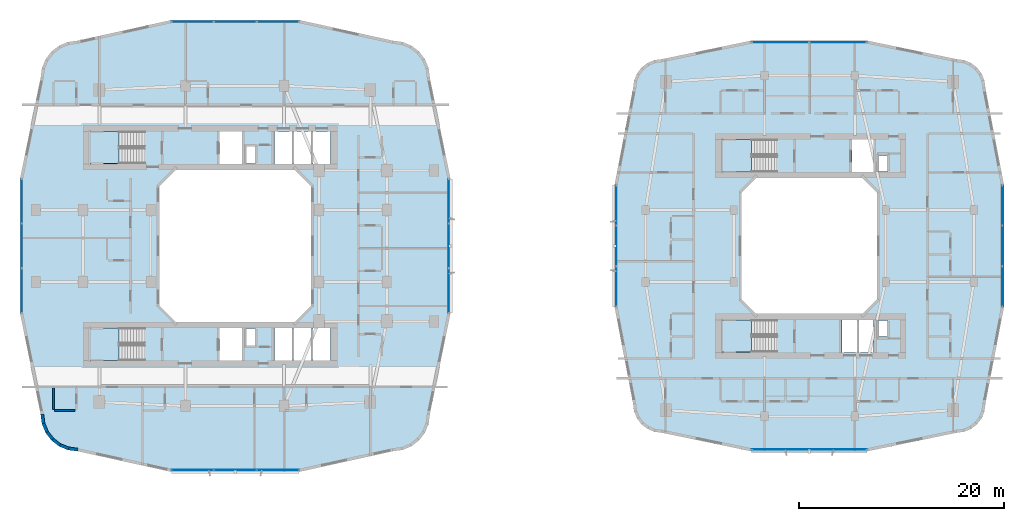
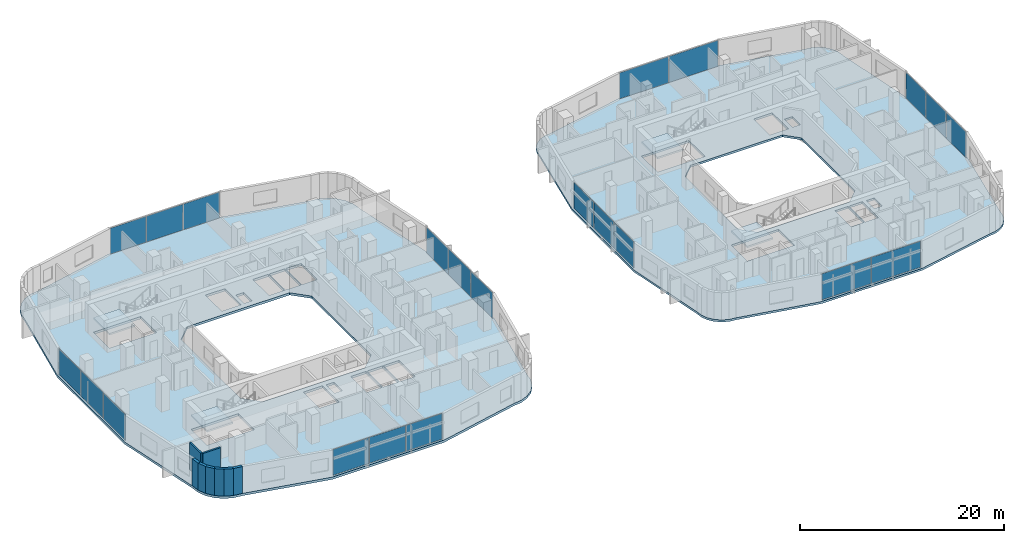
# One storey, part 12 of 27: 22 plates, 8 walls, 6 slabs, 12 elements without a shape of their own.
"""IFC4 building model written with IfcOpenShell, lengths in metres."""

from ifc_helpers import new_model, si_unit, derived_unit, direction, frame, frame_2d, origin, origin_2d, place, context, subcontext, project, spatial, polyline, rectangle, outline, extrude, material, layer, layer_set, type_object, element, aggregate, save


model = new_model("IFC4")

# Units and contexts
model_context = context("Model", 3, precision=1e-05, world=origin(), true_north=direction((0.0, 1.0)))
body_context = subcontext(model_context, "Body", "Model", "MODEL_VIEW")
ifc_project = project(units=[si_unit("LENGTHUNIT", "METRE"), si_unit("AREAUNIT", "SQUARE_METRE"), si_unit("VOLUMEUNIT", "CUBIC_METRE"), si_unit("PLANEANGLEUNIT", "RADIAN"), si_unit("MASSUNIT", "GRAM", prefix="KILO"), derived_unit("THERMALTRANSMITTANCEUNIT", [(si_unit("POWERUNIT", "WATT"), 1), (si_unit("LENGTHUNIT", "METRE"), -2), (si_unit("THERMODYNAMICTEMPERATUREUNIT", "KELVIN"), -1)])], contexts=[model_context])

# Site, building, storey
site_placement = place(None, origin())
site = spatial("IfcSite", under=ifc_project, at=site_placement, CompositionType="ELEMENT")
building_placement = place(site_placement, origin())
building = spatial("IfcBuilding", under=site, at=building_placement, Name="Kivonza Crest Hotel", CompositionType="ELEMENT")
storey_placement = place(building_placement, frame((0.0, 0.0, 41.5)))
storey = spatial("IfcBuildingStorey", under=building, at=storey_placement, Name="L10", CompositionType="ELEMENT", Elevation=41.5)

# Curtain wall, plates
ifc_material_1 = material(Name="Anodised bronze aluminium and low-E double glazing", Category="aluminium")
ifc_layer_1 = layer(ifc_material_1, 0.179931640625)
ifc_layer_set_1 = layer_set([ifc_layer_1], Name="Anodised bronze aluminium and low-E double glazing")
curtain_wall_type_1 = type_object("IfcCurtainWallType", Name="CW-SYS-2", PredefinedType="NOTDEFINED", material=ifc_layer_set_1)
curtain_wall_1_placement = place(storey_placement, origin())
curtain_wall_1 = element("IfcCurtainWall", 1, at=curtain_wall_1_placement, inside=storey, type_object=curtain_wall_type_1, Name="L10 unitised curtain wall CW-T1-L10-08", PredefinedType="NOTDEFINED")
ifc_material_2 = material(Name="Solar-control low-E double glazing", Category="glass")
ifc_layer_2 = layer(ifc_material_2, 0.028076171875)
ifc_layer_set_2 = layer_set([ifc_layer_2], Name="Solar-control low-E double glazing")
plate_type = type_object("IfcPlateType", Name="CW-PNL-28", PredefinedType="CURTAIN_PANEL", material=ifc_layer_set_2)
plate_1_placement = place(storey_placement, frame((16.890869140625, 3.159912109375, 0.06494140625), z_axis=(0.0, 0.0, 1.0), x_axis=(1.0, 0.0, 0.0)))
plate_1 = element("IfcPlate", 2, at=plate_1_placement, type_object=plate_type, Name="CW-2 panel 1.1", PredefinedType="CURTAIN_PANEL", context=body_context, shape_type="SweptSolid", body=[
    extrude(rectangle(XDim=4.06787109375, YDim=0.028076171875, at=origin_2d()), origin(), (0.0, 0.0, 1.0), 3.090087890625),
])
plate_2_placement = place(storey_placement, frame((21.0400390625, 3.159912109375, 0.06494140625), z_axis=(0.0, 0.0, 1.0), x_axis=(1.0, 0.0, 0.0)))
plate_2 = element("IfcPlate", 3, at=plate_2_placement, type_object=plate_type, Name="CW-2 panel 2.1", PredefinedType="CURTAIN_PANEL", context=body_context, shape_type="SweptSolid", body=[
    extrude(rectangle(XDim=4.100341796875, YDim=0.028076171875, at=origin_2d()), origin(), (0.0, 0.0, 1.0), 3.090087890625),
])
plate_3_placement = place(storey_placement, frame((25.18896484375, 3.159912109375, 0.06494140625), z_axis=(0.0, 0.0, 1.0), x_axis=(1.0, 0.0, 0.0)))
plate_3 = element("IfcPlate", 4, at=plate_3_placement, type_object=plate_type, Name="CW-2 panel 3.1", PredefinedType="CURTAIN_PANEL", context=body_context, shape_type="SweptSolid", body=[
    extrude(rectangle(XDim=4.06787109375, YDim=0.028076171875, at=origin_2d()), origin(), (0.0, 0.0, 1.0), 3.090087890625),
])
aggregate(curtain_wall_1, [plate_1, plate_2, plate_3])

curtain_wall_2_placement = place(storey_placement, origin())
curtain_wall_2 = element("IfcCurtainWall", 5, at=curtain_wall_2_placement, inside=storey, type_object=curtain_wall_type_1, Name="L10 unitised curtain wall CW-T1-L10-17", PredefinedType="NOTDEFINED")
plate_4_placement = place(storey_placement, frame((41.840087890625, 20.642822265625, 0.06494140625), z_axis=(0.0, 0.0, 1.0), x_axis=(0.0, 1.0, 0.0)))
plate_4 = element("IfcPlate", 6, at=plate_4_placement, type_object=plate_type, Name="CW-2 panel 1.1", PredefinedType="CURTAIN_PANEL", context=body_context, shape_type="SweptSolid", body=[
    extrude(rectangle(XDim=4.27587890625, YDim=0.028076171875, at=origin_2d()), origin(), (0.0, 0.0, 1.0), 3.090087890625),
])
plate_5_placement = place(storey_placement, frame((41.840087890625, 25.0, 0.06494140625), z_axis=(0.0, 0.0, 1.0), x_axis=(0.0, 1.0, 0.0)))
plate_5 = element("IfcPlate", 7, at=plate_5_placement, type_object=plate_type, Name="CW-2 panel 2.1", PredefinedType="CURTAIN_PANEL", context=body_context, shape_type="SweptSolid", body=[
    extrude(rectangle(XDim=4.308349609375, YDim=0.028076171875, at=origin_2d()), origin(), (0.0, 0.0, 1.0), 3.090087890625),
])
plate_6_placement = place(storey_placement, frame((41.840087890625, 29.357177734375, 0.06494140625), z_axis=(0.0, 0.0, 1.0), x_axis=(0.0, 1.0, 0.0)))
plate_6 = element("IfcPlate", 8, at=plate_6_placement, type_object=plate_type, Name="CW-2 panel 3.1", PredefinedType="CURTAIN_PANEL", context=body_context, shape_type="SweptSolid", body=[
    extrude(rectangle(XDim=4.27587890625, YDim=0.028076171875, at=origin_2d()), origin(), (0.0, 0.0, 1.0), 3.090087890625),
])
aggregate(curtain_wall_2, [plate_4, plate_5, plate_6])

curtain_wall_3_placement = place(storey_placement, origin())
curtain_wall_3 = element("IfcCurtainWall", 9, at=curtain_wall_3_placement, inside=storey, type_object=curtain_wall_type_1, Name="L10 unitised curtain wall CW-T1-L10-26", PredefinedType="NOTDEFINED")
plate_7_placement = place(storey_placement, frame((25.18896484375, 46.840087890625, 0.06494140625), z_axis=(0.0, 0.0, 1.0), x_axis=(-1.0, 0.0, 0.0)))
plate_7 = element("IfcPlate", 10, at=plate_7_placement, type_object=plate_type, Name="CW-2 panel 1.1", PredefinedType="CURTAIN_PANEL", context=body_context, shape_type="SweptSolid", body=[
    extrude(rectangle(XDim=4.06787109375, YDim=0.028076171875, at=origin_2d()), origin(), (0.0, 0.0, 1.0), 3.090087890625),
])
plate_8_placement = place(storey_placement, frame((21.0400390625, 46.840087890625, 0.06494140625), z_axis=(0.0, 0.0, 1.0), x_axis=(-1.0, 0.0, 0.0)))
plate_8 = element("IfcPlate", 11, at=plate_8_placement, type_object=plate_type, Name="CW-2 panel 2.1", PredefinedType="CURTAIN_PANEL", context=body_context, shape_type="SweptSolid", body=[
    extrude(rectangle(XDim=4.100341796875, YDim=0.028076171875, at=origin_2d()), origin(), (0.0, 0.0, 1.0), 3.090087890625),
])
plate_9_placement = place(storey_placement, frame((16.890869140625, 46.840087890625, 0.06494140625), z_axis=(0.0, 0.0, 1.0), x_axis=(-1.0, 0.0, 0.0)))
plate_9 = element("IfcPlate", 12, at=plate_9_placement, type_object=plate_type, Name="CW-2 panel 3.1", PredefinedType="CURTAIN_PANEL", context=body_context, shape_type="SweptSolid", body=[
    extrude(rectangle(XDim=4.06787109375, YDim=0.028076171875, at=origin_2d()), origin(), (0.0, 0.0, 1.0), 3.090087890625),
])
aggregate(curtain_wall_3, [plate_7, plate_8, plate_9])

curtain_wall_4_placement = place(storey_placement, origin())
curtain_wall_4 = element("IfcCurtainWall", 13, at=curtain_wall_4_placement, inside=storey, type_object=curtain_wall_type_1, Name="L10 unitised curtain wall CW-T1-L10-35", PredefinedType="NOTDEFINED")
plate_10_placement = place(storey_placement, frame((0.239990234375, 29.357177734375, 0.06494140625), z_axis=(0.0, 0.0, 1.0), x_axis=(0.0, -1.0, 0.0)))
plate_10 = element("IfcPlate", 14, at=plate_10_placement, type_object=plate_type, Name="CW-2 panel 1.1", PredefinedType="CURTAIN_PANEL", context=body_context, shape_type="SweptSolid", body=[
    extrude(rectangle(XDim=4.27587890625, YDim=0.028076171875, at=origin_2d()), origin(), (0.0, 0.0, 1.0), 3.090087890625),
])
plate_11_placement = place(storey_placement, frame((0.239990234375, 25.0, 0.06494140625), z_axis=(0.0, 0.0, 1.0), x_axis=(0.0, -1.0, 0.0)))
plate_11 = element("IfcPlate", 15, at=plate_11_placement, type_object=plate_type, Name="CW-2 panel 2.1", PredefinedType="CURTAIN_PANEL", context=body_context, shape_type="SweptSolid", body=[
    extrude(rectangle(XDim=4.308349609375, YDim=0.028076171875, at=origin_2d()), origin(), (0.0, 0.0, 1.0), 3.090087890625),
])
plate_12_placement = place(storey_placement, frame((0.239990234375, 20.642822265625, 0.06494140625), z_axis=(0.0, 0.0, 1.0), x_axis=(0.0, -1.0, 0.0)))
plate_12 = element("IfcPlate", 16, at=plate_12_placement, type_object=plate_type, Name="CW-2 panel 3.1", PredefinedType="CURTAIN_PANEL", context=body_context, shape_type="SweptSolid", body=[
    extrude(rectangle(XDim=4.27587890625, YDim=0.028076171875, at=origin_2d()), origin(), (0.0, 0.0, 1.0), 3.090087890625),
])
aggregate(curtain_wall_4, [plate_10, plate_11, plate_12])

ifc_layer_3 = layer(ifc_material_1, 0.179931640625)
ifc_layer_set_3 = layer_set([ifc_layer_3], Name="Anodised bronze aluminium and low-E double glazing")
curtain_wall_type_2 = type_object("IfcCurtainWallType", Name="CW-SYS-4", PredefinedType="NOTDEFINED", material=ifc_layer_set_3)
curtain_wall_5_placement = place(storey_placement, origin())
curtain_wall_5 = element("IfcCurtainWall", 17, at=curtain_wall_5_placement, inside=storey, type_object=curtain_wall_type_2, Name="L10 unitised curtain wall CW-T2-L10-08", PredefinedType="NOTDEFINED")
plate_13_placement = place(storey_placement, frame((74.15234375, 5.159912109375, 0.06494140625), z_axis=(0.0, 0.0, 1.0), x_axis=(1.0, 0.0, 0.0)))
plate_13 = element("IfcPlate", 18, at=plate_13_placement, type_object=plate_type, Name="CW-4 panel 1.1", PredefinedType="CURTAIN_PANEL", context=body_context, shape_type="SweptSolid", body=[
    extrude(rectangle(XDim=5.550537109375, YDim=0.028076171875, at=origin_2d()), origin(), (0.0, 0.0, 1.0), 3.1201171875),
])
plate_14_placement = place(storey_placement, frame((79.767822265625, 5.159912109375, 0.06494140625), z_axis=(0.0, 0.0, 1.0), x_axis=(1.0, 0.0, 0.0)))
plate_14 = element("IfcPlate", 19, at=plate_14_placement, type_object=plate_type, Name="CW-4 panel 2.1", PredefinedType="CURTAIN_PANEL", context=body_context, shape_type="SweptSolid", body=[
    extrude(rectangle(XDim=5.550537109375, YDim=0.028076171875, at=origin_2d()), origin(), (0.0, 0.0, 1.0), 3.1201171875),
])
aggregate(curtain_wall_5, [plate_13, plate_14])

curtain_wall_6_placement = place(storey_placement, origin())
curtain_wall_6 = element("IfcCurtainWall", 20, at=curtain_wall_6_placement, inside=storey, type_object=curtain_wall_type_2, Name="L10 unitised curtain wall CW-T2-L10-17", PredefinedType="NOTDEFINED")
plate_15_placement = place(storey_placement, frame((95.760009765625, 21.04296875, 0.06494140625), z_axis=(0.0, 0.0, 1.0), x_axis=(0.0, 1.0, 0.0)))
plate_15 = element("IfcPlate", 21, at=plate_15_placement, type_object=plate_type, Name="CW-4 panel 1.1", PredefinedType="CURTAIN_PANEL", context=body_context, shape_type="SweptSolid", body=[
    extrude(rectangle(XDim=3.875732421875, YDim=0.028076171875, at=origin_2d()), origin(), (0.0, 0.0, 1.0), 3.1201171875),
])
plate_16_placement = place(storey_placement, frame((95.760009765625, 25.0, 0.06494140625), z_axis=(0.0, 0.0, 1.0), x_axis=(0.0, 1.0, 0.0)))
plate_16 = element("IfcPlate", 22, at=plate_16_placement, type_object=plate_type, Name="CW-4 panel 2.1", PredefinedType="CURTAIN_PANEL", context=body_context, shape_type="SweptSolid", body=[
    extrude(rectangle(XDim=3.908447265625, YDim=0.028076171875, at=origin_2d()), origin(), (0.0, 0.0, 1.0), 3.1201171875),
])
plate_17_placement = place(storey_placement, frame((95.760009765625, 28.95703125, 0.06494140625), z_axis=(0.0, 0.0, 1.0), x_axis=(0.0, 1.0, 0.0)))
plate_17 = element("IfcPlate", 23, at=plate_17_placement, type_object=plate_type, Name="CW-4 panel 3.1", PredefinedType="CURTAIN_PANEL", context=body_context, shape_type="SweptSolid", body=[
    extrude(rectangle(XDim=3.875732421875, YDim=0.028076171875, at=origin_2d()), origin(), (0.0, 0.0, 1.0), 3.1201171875),
])
aggregate(curtain_wall_6, [plate_15, plate_16, plate_17])

curtain_wall_7_placement = place(storey_placement, origin())
curtain_wall_7 = element("IfcCurtainWall", 24, at=curtain_wall_7_placement, inside=storey, type_object=curtain_wall_type_2, Name="L10 unitised curtain wall CW-T2-L10-26", PredefinedType="NOTDEFINED")
plate_18_placement = place(storey_placement, frame((79.767822265625, 44.840087890625, 0.06494140625), z_axis=(0.0, 0.0, 1.0), x_axis=(-1.0, 0.0, 0.0)))
plate_18 = element("IfcPlate", 25, at=plate_18_placement, type_object=plate_type, Name="CW-4 panel 1.1", PredefinedType="CURTAIN_PANEL", context=body_context, shape_type="SweptSolid", body=[
    extrude(rectangle(XDim=5.550537109375, YDim=0.028076171875, at=origin_2d()), origin(), (0.0, 0.0, 1.0), 3.1201171875),
])
plate_19_placement = place(storey_placement, frame((74.15234375, 44.840087890625, 0.06494140625), z_axis=(0.0, 0.0, 1.0), x_axis=(-1.0, 0.0, 0.0)))
plate_19 = element("IfcPlate", 26, at=plate_19_placement, type_object=plate_type, Name="CW-4 panel 2.1", PredefinedType="CURTAIN_PANEL", context=body_context, shape_type="SweptSolid", body=[
    extrude(rectangle(XDim=5.550537109375, YDim=0.028076171875, at=origin_2d()), origin(), (0.0, 0.0, 1.0), 3.1201171875),
])
aggregate(curtain_wall_7, [plate_18, plate_19])

curtain_wall_8_placement = place(storey_placement, origin())
curtain_wall_8 = element("IfcCurtainWall", 27, at=curtain_wall_8_placement, inside=storey, type_object=curtain_wall_type_2, Name="L10 unitised curtain wall CW-T2-L10-35", PredefinedType="NOTDEFINED")
plate_20_placement = place(storey_placement, frame((58.159912109375, 28.95703125, 0.06494140625), z_axis=(0.0, 0.0, 1.0), x_axis=(0.0, -1.0, 0.0)))
plate_20 = element("IfcPlate", 28, at=plate_20_placement, type_object=plate_type, Name="CW-4 panel 1.1", PredefinedType="CURTAIN_PANEL", context=body_context, shape_type="SweptSolid", body=[
    extrude(rectangle(XDim=3.875732421875, YDim=0.028076171875, at=origin_2d()), origin(), (0.0, 0.0, 1.0), 3.1201171875),
])
plate_21_placement = place(storey_placement, frame((58.159912109375, 25.0, 0.06494140625), z_axis=(0.0, 0.0, 1.0), x_axis=(0.0, -1.0, 0.0)))
plate_21 = element("IfcPlate", 29, at=plate_21_placement, type_object=plate_type, Name="CW-4 panel 2.1", PredefinedType="CURTAIN_PANEL", context=body_context, shape_type="SweptSolid", body=[
    extrude(rectangle(XDim=3.908447265625, YDim=0.028076171875, at=origin_2d()), origin(), (0.0, 0.0, 1.0), 3.1201171875),
])
plate_22_placement = place(storey_placement, frame((58.159912109375, 21.04296875, 0.06494140625), z_axis=(0.0, 0.0, 1.0), x_axis=(0.0, -1.0, 0.0)))
plate_22 = element("IfcPlate", 30, at=plate_22_placement, type_object=plate_type, Name="CW-4 panel 3.1", PredefinedType="CURTAIN_PANEL", context=body_context, shape_type="SweptSolid", body=[
    extrude(rectangle(XDim=3.875732421875, YDim=0.028076171875, at=origin_2d()), origin(), (0.0, 0.0, 1.0), 3.1201171875),
])
aggregate(curtain_wall_8, [plate_20, plate_21, plate_22])

# Slab
ifc_material_3 = material(Name="Concrete C40/50", Category="concrete")
ifc_layer_4 = layer(ifc_material_3, 0.280029296875)
ifc_layer_set_4 = layer_set([ifc_layer_4], Name="Concrete C40/50")
slab_type_1 = type_object("IfcSlabType", Name="SL-HTL-280", PredefinedType="FLOOR", material=ifc_layer_set_4)
slab_1_placement = place(storey_placement, frame((0.0, 0.0, -0.280029296875)))
element("IfcSlab", 31, at=slab_1_placement, inside=storey, type_object=slab_type_1, Name="Tower T1 L10 floor slab", PredefinedType="FLOOR", context=body_context, shape_type="SweptSolid", body=[
    extrude(outline(polyline([(2.080078125, 8.60009765625), (2.202880859375, 7.66796875), (2.56201171875, 6.800048828125), (3.134033203125, 6.053955078125), (3.8798828125, 5.48193359375), (4.748046875, 5.123046875), (5.679931640625, 5.0), (14.751953125, 3.0), (27.327880859375, 3.0), (36.39990234375, 5.0), (37.33203125, 5.123046875), (38.199951171875, 5.48193359375), (38.946044921875, 6.053955078125), (39.51806640625, 6.800048828125), (39.876953125, 7.66796875), (40.0, 8.60009765625), (42.0, 18.39990234375), (42.0, 31.60009765625), (40.0, 41.39990234375), (39.876953125, 42.33203125), (39.51806640625, 43.199951171875), (38.946044921875, 43.946044921875), (38.199951171875, 44.51806640625), (37.33203125, 44.876953125), (36.39990234375, 45.0), (27.327880859375, 47.0), (14.751953125, 47.0), (5.679931640625, 45.0), (4.748046875, 44.876953125), (3.8798828125, 44.51806640625), (3.134033203125, 43.946044921875), (2.56201171875, 43.199951171875), (2.202880859375, 42.33203125), (2.080078125, 41.39990234375), (0.080078125, 31.60009765625), (0.080078125, 18.39990234375), (2.080078125, 8.60009765625)]), holes=[polyline([(15.239990234375, 17.60009765625), (26.840087890625, 17.60009765625), (28.43994140625, 19.199951171875), (28.43994140625, 30.800048828125), (26.840087890625, 32.39990234375), (15.239990234375, 32.39990234375), (13.639892578125, 30.800048828125), (13.639892578125, 19.199951171875), (15.239990234375, 17.60009765625)]), polyline([(6.800048828125, 33.02001953125), (12.159912109375, 33.02001953125), (12.159912109375, 36.159912109375), (6.800048828125, 36.159912109375), (6.800048828125, 33.02001953125)]), polyline([(6.800048828125, 13.860107421875), (12.159912109375, 13.860107421875), (12.159912109375, 17.0), (6.800048828125, 17.0), (6.800048828125, 13.860107421875)]), polyline([(22.080078125, 33.0400390625), (22.969970703125, 33.0400390625), (22.969970703125, 34.679931640625), (22.080078125, 34.679931640625), (22.080078125, 33.0400390625)]), polyline([(22.080078125, 15.320068359375), (22.969970703125, 15.320068359375), (22.969970703125, 16.9599609375), (22.080078125, 16.9599609375), (22.080078125, 15.320068359375)]), polyline([(19.5, 33.0), (21.699951171875, 33.0), (21.699951171875, 36.159912109375), (19.5, 36.159912109375), (19.5, 33.0)]), polyline([(24.860107421875, 33.0), (26.60693359375, 33.0), (26.60693359375, 36.159912109375), (24.860107421875, 36.159912109375), (24.860107421875, 33.0)]), polyline([(26.72705078125, 33.0), (28.472900390625, 33.0), (28.472900390625, 36.159912109375), (26.72705078125, 36.159912109375), (26.72705078125, 33.0)]), polyline([(28.593017578125, 33.0), (30.340087890625, 33.0), (30.340087890625, 36.159912109375), (28.593017578125, 36.159912109375), (28.593017578125, 33.0)]), polyline([(19.5, 13.840087890625), (21.699951171875, 13.840087890625), (21.699951171875, 17.0), (19.5, 17.0), (19.5, 13.840087890625)]), polyline([(24.860107421875, 13.840087890625), (26.60693359375, 13.840087890625), (26.60693359375, 17.0), (24.860107421875, 17.0), (24.860107421875, 13.840087890625)]), polyline([(26.72705078125, 13.840087890625), (28.472900390625, 13.840087890625), (28.472900390625, 17.0), (26.72705078125, 17.0), (26.72705078125, 13.840087890625)]), polyline([(28.593017578125, 13.840087890625), (30.340087890625, 13.840087890625), (30.340087890625, 17.0), (28.593017578125, 17.0), (28.593017578125, 13.840087890625)])]), origin(), (0.0, 0.0, 1.0), 0.280029296875),
])

# Stair, slab
stair_type = type_object("IfcStairType", Name="ST-DL-20R", PredefinedType="HALF_TURN_STAIR", material=ifc_material_3)
stair_1_placement = place(storey_placement, origin())
stair_1 = element("IfcStair", 32, at=stair_1_placement, inside=storey, type_object=stair_type, Name="L10 Protected Exit Stair ST-T1-N", PredefinedType="HALF_TURN_STAIR")
ifc_layer_5 = layer(ifc_material_3, 0.199951171875)
ifc_layer_set_5 = layer_set([ifc_layer_5], Name="Concrete C40/50")
slab_type_2 = type_object("IfcSlabType", Name="SL-LAND-200", PredefinedType="LANDING", material=ifc_layer_set_5)
slab_2_placement = place(storey_placement, frame((0.0, 0.0, 1.550048828125)))
slab_2 = element("IfcSlab", 33, at=slab_2_placement, type_object=slab_type_2, Name="ST-T1-N landing 1", PredefinedType="LANDING", context=body_context, shape_type="SweptSolid", body=[
    extrude(outline(polyline([(9.719970703125, 36.159912109375), (6.800048828125, 36.159912109375), (6.800048828125, 33.02001953125), (9.719970703125, 33.02001953125), (9.719970703125, 36.159912109375)])), origin(), (0.0, 0.0, 1.0), 0.199951171875),
])
aggregate(stair_1, [slab_2])

stair_2_placement = place(storey_placement, origin())
stair_2 = element("IfcStair", 34, at=stair_2_placement, inside=storey, type_object=stair_type, Name="L10 Protected Exit Stair ST-T1-S", PredefinedType="HALF_TURN_STAIR")
slab_3_placement = place(storey_placement, frame((0.0, 0.0, 1.550048828125)))
slab_3 = element("IfcSlab", 35, at=slab_3_placement, type_object=slab_type_2, Name="ST-T1-S landing 1", PredefinedType="LANDING", context=body_context, shape_type="SweptSolid", body=[
    extrude(outline(polyline([(9.719970703125, 17.0), (6.800048828125, 17.0), (6.800048828125, 13.860107421875), (9.719970703125, 13.860107421875), (9.719970703125, 17.0)])), origin(), (0.0, 0.0, 1.0), 0.199951171875),
])
aggregate(stair_2, [slab_3])

stair_3_placement = place(storey_placement, origin())
stair_3 = element("IfcStair", 36, at=stair_3_placement, inside=storey, type_object=stair_type, Name="L10 Protected Exit Stair ST-T2-N", PredefinedType="HALF_TURN_STAIR")
slab_4_placement = place(storey_placement, frame((0.0, 0.0, 1.550048828125)))
slab_4 = element("IfcSlab", 37, at=slab_4_placement, type_object=slab_type_2, Name="ST-T2-N landing 1", PredefinedType="LANDING", context=body_context, shape_type="SweptSolid", body=[
    extrude(outline(polyline([(71.320068359375, 35.360107421875), (68.39990234375, 35.360107421875), (68.39990234375, 32.219970703125), (71.320068359375, 32.219970703125), (71.320068359375, 35.360107421875)])), origin(), (0.0, 0.0, 1.0), 0.199951171875),
])
aggregate(stair_3, [slab_4])

stair_4_placement = place(storey_placement, origin())
stair_4 = element("IfcStair", 38, at=stair_4_placement, inside=storey, type_object=stair_type, Name="L10 Protected Exit Stair ST-T2-S", PredefinedType="HALF_TURN_STAIR")
slab_5_placement = place(storey_placement, frame((0.0, 0.0, 1.550048828125)))
slab_5 = element("IfcSlab", 39, at=slab_5_placement, type_object=slab_type_2, Name="ST-T2-S landing 1", PredefinedType="LANDING", context=body_context, shape_type="SweptSolid", body=[
    extrude(outline(polyline([(71.320068359375, 17.800048828125), (68.39990234375, 17.800048828125), (68.39990234375, 14.659912109375), (71.320068359375, 14.659912109375), (71.320068359375, 17.800048828125)])), origin(), (0.0, 0.0, 1.0), 0.199951171875),
])
aggregate(stair_4, [slab_5])

# Slab
ifc_layer_6 = layer(ifc_material_3, 0.25)
ifc_layer_set_6 = layer_set([ifc_layer_6], Name="Concrete C40/50")
slab_type_3 = type_object("IfcSlabType", Name="SL-RES-250", PredefinedType="FLOOR", material=ifc_layer_set_6)
slab_6_placement = place(storey_placement, frame((0.0, 0.0, -0.25)))
element("IfcSlab", 40, at=slab_6_placement, inside=storey, type_object=slab_type_3, Name="Companion Tower T2 L10 floor slab", PredefinedType="FLOOR", context=body_context, shape_type="SweptSolid", body=[
    extrude(outline(polyline([(59.800048828125, 9.60009765625), (59.89501953125, 8.875), (60.175048828125, 8.199951171875), (60.6201171875, 7.6201171875), (61.199951171875, 7.175048828125), (61.875, 6.89501953125), (62.60009765625, 6.800048828125), (71.27197265625, 5.0), (82.64794921875, 5.0), (91.320068359375, 6.800048828125), (92.044921875, 6.89501953125), (92.719970703125, 7.175048828125), (93.300048828125, 7.6201171875), (93.7451171875, 8.199951171875), (94.02490234375, 8.875), (94.1201171875, 9.60009765625), (95.919921875, 19.0), (95.919921875, 31.0), (94.1201171875, 40.39990234375), (94.02490234375, 41.125), (93.7451171875, 41.800048828125), (93.300048828125, 42.3798828125), (92.719970703125, 42.824951171875), (92.044921875, 43.10498046875), (91.320068359375, 43.199951171875), (82.64794921875, 45.0), (71.27197265625, 45.0), (62.60009765625, 43.199951171875), (61.875, 43.10498046875), (61.199951171875, 42.824951171875), (60.6201171875, 42.3798828125), (60.175048828125, 41.800048828125), (59.89501953125, 41.125), (59.800048828125, 40.39990234375), (58.0, 31.0), (58.0, 19.0), (59.800048828125, 9.60009765625)]), holes=[polyline([(71.760009765625, 18.39990234375), (82.159912109375, 18.39990234375), (83.56005859375, 19.800048828125), (83.56005859375, 30.199951171875), (82.159912109375, 31.60009765625), (71.760009765625, 31.60009765625), (70.360107421875, 30.199951171875), (70.360107421875, 19.800048828125), (71.760009765625, 18.39990234375)]), polyline([(68.39990234375, 32.219970703125), (73.760009765625, 32.219970703125), (73.760009765625, 35.360107421875), (68.39990234375, 35.360107421875), (68.39990234375, 32.219970703125)]), polyline([(68.39990234375, 14.659912109375), (73.760009765625, 14.659912109375), (73.760009765625, 17.800048828125), (68.39990234375, 17.800048828125), (68.39990234375, 14.659912109375)]), polyline([(83.679931640625, 32.239990234375), (84.570068359375, 32.239990234375), (84.570068359375, 33.820068359375), (83.679931640625, 33.820068359375), (83.679931640625, 32.239990234375)]), polyline([(83.679931640625, 16.179931640625), (84.570068359375, 16.179931640625), (84.570068359375, 17.760009765625), (83.679931640625, 17.760009765625), (83.679931640625, 16.179931640625)]), polyline([(81.10009765625, 32.199951171875), (83.199951171875, 32.199951171875), (83.199951171875, 35.360107421875), (81.10009765625, 35.360107421875), (81.10009765625, 32.199951171875)]), polyline([(80.159912109375, 14.639892578125), (81.639892578125, 14.639892578125), (81.639892578125, 17.800048828125), (80.159912109375, 17.800048828125), (80.159912109375, 14.639892578125)]), polyline([(81.760009765625, 14.639892578125), (83.239990234375, 14.639892578125), (83.239990234375, 17.800048828125), (81.760009765625, 17.800048828125), (81.760009765625, 14.639892578125)])]), origin(), (0.0, 0.0, 1.0), 0.25),
])

# Walls
ifc_material_4 = material(Name="Precast concrete C40/50", Category="concrete")
ifc_layer_7 = layer(ifc_material_4, 0.300048828125)
ifc_layer_set_7 = layer_set([ifc_layer_7], Name="Precast concrete C40/50")
wall_type_1 = type_object("IfcWallType", Name="WL-EXT-300", PredefinedType="STANDARD", material=ifc_layer_set_7)
wall_1_placement = place(storey_placement, frame((2.22802734375, 8.6279296875, 0.0), z_axis=(0.0, 0.0, 1.0), x_axis=(0.131174864804, -0.991359246108, 0.0)))
element("IfcWall", 41, at=wall_1_placement, inside=storey, type_object=wall_type_1, Name="L10 T1 exterior insulated wall 1", PredefinedType="STANDARD", context=body_context, shape_type="SweptSolid", body=[
    extrude(rectangle(XDim=0.93798828125, YDim=0.300048828125, at=frame_2d((0.468994140625, 0.0))), origin(), (0.0, 0.0, 1.0), 3.219970703125),
])
wall_2_placement = place(storey_placement, frame((2.33203125, 7.748046875, 0.0), z_axis=(0.0, 0.0, 1.0), x_axis=(0.382344263057, -0.924019948111, 0.0)))
element("IfcWall", 42, at=wall_2_placement, inside=storey, type_object=wall_type_1, Name="L10 T1 exterior insulated wall 2", PredefinedType="STANDARD", context=body_context, shape_type="SweptSolid", body=[
    extrude(rectangle(XDim=0.95458984375, YDim=0.300048828125, at=frame_2d((0.477294921875, 0.0))), origin(), (0.0, 0.0, 1.0), 3.219970703125),
])
for number, where, z_axis, x_axis, name in (
    (43, (2.666015625, 6.910888671875, 0.0), (0.0, 0.0, 1.0), (0.608474481025, -0.793573440799, 0.0), "L10 T1 exterior insulated wall 3"),
    (44, (3.205078125, 6.18798828125, 0.0), (0.0, 0.0, 1.0), (0.793573440799, -0.608474481025, 0.0), "L10 T1 exterior insulated wall 4"),
):
    element("IfcWall", number, at=place(storey_placement, frame(where, z_axis=z_axis, x_axis=x_axis)), inside=storey, type_object=wall_type_1, Name=name, PredefinedType="STANDARD", context=body_context, shape_type="SweptSolid", body=[
        extrude(rectangle(XDim=0.954833984375, YDim=0.300048828125, at=frame_2d((0.4775390625, 0.0))), origin(), (0.0, 0.0, 1.0), 3.219970703125),
    ])
wall_3_placement = place(storey_placement, frame((3.9140625, 5.631103515625, 0.0), z_axis=(0.0, 0.0, 1.0), x_axis=(0.923982547689, -0.382434636986, 0.0)))
element("IfcWall", 45, at=wall_3_placement, inside=storey, type_object=wall_type_1, Name="L10 T1 exterior insulated wall 5", PredefinedType="STANDARD", context=body_context, shape_type="SweptSolid", body=[
    extrude(rectangle(XDim=0.954345703125, YDim=0.300048828125, at=frame_2d((0.47705078125, 0.0))), origin(), (0.0, 0.0, 1.0), 3.219970703125),
])
wall_4_placement = place(storey_placement, frame((4.742919921875, 5.27490234375, 0.0), z_axis=(0.0, 0.0, 1.0), x_axis=(0.99145856342, -0.130422072598, 0.0)))
element("IfcWall", 46, at=wall_4_placement, inside=storey, type_object=wall_type_1, Name="L10 T1 exterior insulated wall 6", PredefinedType="STANDARD", context=body_context, shape_type="SweptSolid", body=[
    extrude(rectangle(XDim=0.973388671875, YDim=0.300048828125, at=frame_2d((0.48681640625, 0.0))), origin(), (0.0, 0.0, 1.0), 3.219970703125),
])
ifc_material_5 = material(Name="Moisture-resistant plumbing chase partition wall", Category="gypsum")
ifc_layer_8 = layer(ifc_material_5, 0.199951171875)
ifc_layer_set_8 = layer_set([ifc_layer_8], Name="Moisture-resistant plumbing chase partition wall")
wall_type_2 = type_object("IfcWallType", Name="WL-PLUMB-200", PredefinedType="PLUMBINGWALL", material=ifc_layer_set_8)
wall_5_placement = place(storey_placement, frame((3.449951171875, 8.949951171875, 0.0), z_axis=(0.0, 0.0, 1.0), x_axis=(1.0, 0.0, 0.0)))
element("IfcWall", 47, at=wall_5_placement, inside=storey, type_object=wall_type_2, Name="L10 interior partition WW-L10-S04-BH", PredefinedType="PLUMBINGWALL", context=body_context, shape_type="SweptSolid", body=[
    extrude(rectangle(XDim=2.0, YDim=0.199951171875, at=frame_2d((1.0, 0.0))), origin(), (0.0, 0.0, 1.0), 3.219970703125),
])
wall_6_placement = place(storey_placement, frame((3.35009765625, 9.050048828125, 0.0), z_axis=(0.0, 0.0, 1.0), x_axis=(0.0, 1.0, 0.0)))
element("IfcWall", 48, at=wall_6_placement, inside=storey, type_object=wall_type_2, Name="L10 interior partition WW-L10-S04-BVW", PredefinedType="PLUMBINGWALL", context=body_context, shape_type="SweptSolid", body=[
    extrude(rectangle(XDim=2.099853515625, YDim=0.199951171875, at=frame_2d((1.0498046875, 0.0))), origin(), (0.0, 0.0, 1.0), 3.219970703125),
])

save(model, "model.ifc")
